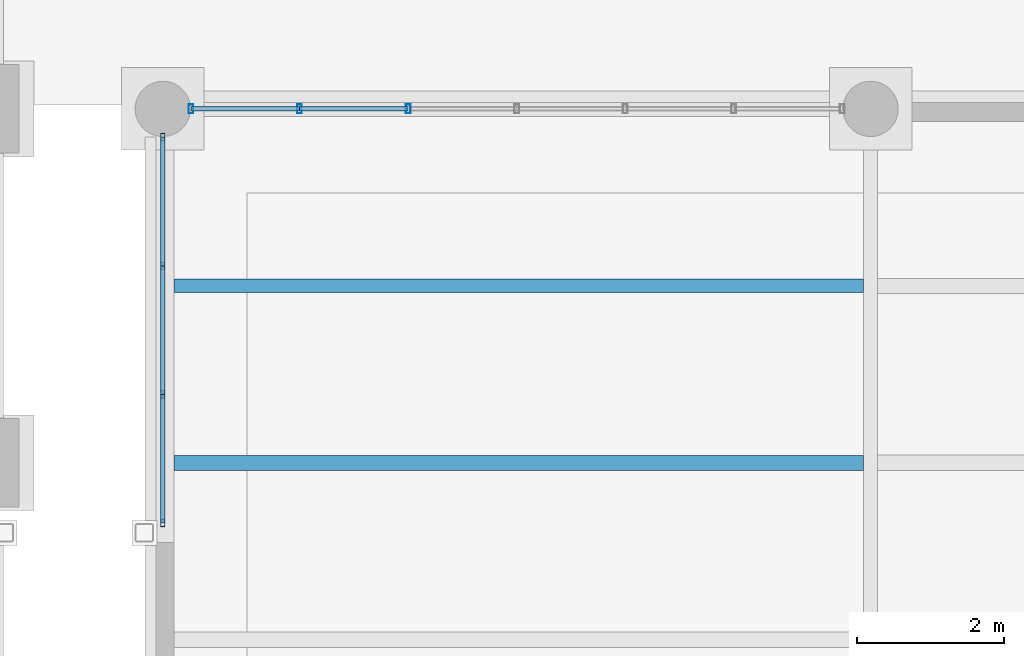
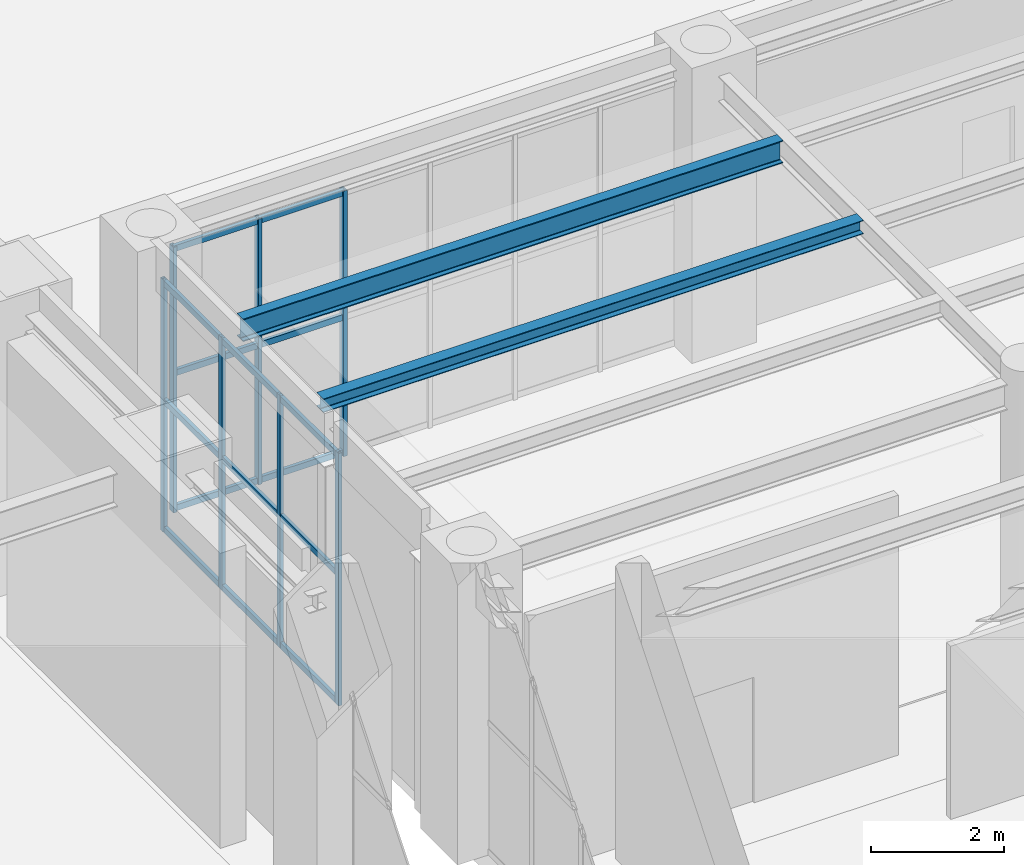
# One storey, part 63 of 164: 22 members, 2 beams, 2 elements without a shape of their own.
"""IFC4 building model written with IfcOpenShell, lengths in metres."""

from ifc_helpers import new_model, si_unit, direction, frame, origin, origin_2d, place, context, subcontext, project, spatial, hollow_rectangle, i_section, extrude, material, material_profile, profile_set, type_object, element, aggregate, save


model = new_model("IFC4")

# Units and contexts
model_context = context("Model", 3, precision=1e-05, world=origin(), true_north=direction((0.0, 1.0)))
body_context = subcontext(model_context, "Body", "Model", "MODEL_VIEW")
ifc_project = project(units=[si_unit("LENGTHUNIT", "METRE"), si_unit("AREAUNIT", "SQUARE_METRE"), si_unit("VOLUMEUNIT", "CUBIC_METRE"), si_unit("PLANEANGLEUNIT", "RADIAN"), si_unit("MASSUNIT", "GRAM", prefix="KILO")], contexts=[model_context])

# Site, building, storey
site_placement = place(None, origin())
site = spatial("IfcSite", under=ifc_project, at=site_placement, CompositionType="ELEMENT")
building_placement = place(site_placement, origin())
building = spatial("IfcBuilding", under=site, at=building_placement, Name="Mavantir Sound Aquarium", CompositionType="ELEMENT")
storey_placement = place(building_placement, origin())
storey = spatial("IfcBuildingStorey", under=building, at=storey_placement, Name="L00", CompositionType="ELEMENT", Elevation=0.0)

# Beams
ifc_material_1 = material(Name="Structural Steel ASTM A992 Gr50", Category="steel")
ifc_material_profile_1 = material_profile(ifc_material_1, i_section(OverallWidth=0.202880859375, OverallDepth=0.251953125, WebThickness=0.008056640625, FlangeThickness=0.013427734375, FilletRadius=0.011962890625, at=origin_2d()), Name="W250X58")
ifc_profile_set_1 = profile_set([ifc_material_profile_1], Name="Structural Steel ASTM A992 Gr50")
beam_type_1 = type_object("IfcBeamType", Name="BM-W250X58-I", PredefinedType="JOIST", material=ifc_profile_set_1)
beam_1_placement = place(storey_placement, frame((36.152587890625, 64.800048828125, 4.969970703125), z_axis=(1.0, 0.0, 0.0), x_axis=(0.0, 1.0, 0.0)))
element("IfcBeam", 1, at=beam_1_placement, inside=storey, type_object=beam_type_1, Name="L00 secondary floor joist SJ-25 472", PredefinedType="JOIST", context=body_context, shape_type="SweptSolid", body=[
    extrude(i_section(OverallWidth=0.202880859375, OverallDepth=0.251953125, WebThickness=0.008056640625, FlangeThickness=0.013427734375, FilletRadius=0.011962890625, at=origin_2d()), origin(), (0.0, 0.0, 1.0), 9.350341796875),
])
ifc_material_profile_2 = material_profile(ifc_material_1, i_section(OverallWidth=0.180908203125, OverallDepth=0.4169921875, WebThickness=0.010986328125, FlangeThickness=0.018310546875, FilletRadius=0.014892578125, at=origin_2d()), Name="W410X85")
ifc_profile_set_2 = profile_set([ifc_material_profile_2], Name="Structural Steel ASTM A992 Gr50")
beam_type_2 = type_object("IfcBeamType", Name="BM-W410X85-I", PredefinedType="JOIST", material=ifc_profile_set_2)
beam_2_placement = place(storey_placement, frame((36.152587890625, 67.199951171875, 4.887451171875), z_axis=(1.0, 0.0, 0.0), x_axis=(0.0, 1.0, 0.0)))
element("IfcBeam", 2, at=beam_2_placement, inside=storey, type_object=beam_type_2, Name="L00 secondary floor joist SJ-41 473", PredefinedType="JOIST", context=body_context, shape_type="SweptSolid", body=[
    extrude(i_section(OverallWidth=0.180908203125, OverallDepth=0.4169921875, WebThickness=0.010986328125, FlangeThickness=0.018310546875, FilletRadius=0.014892578125, at=origin_2d()), origin(), (0.0, 0.0, 1.0), 9.350341796875),
])

# Curtain wall, members
ifc_material_2 = material(Name="Anodised Marine Aluminium and Low-E Glass", Category="aluminium")
curtain_wall_type_1 = type_object("IfcCurtainWallType", Name="CW-T03", PredefinedType="USERDEFINED", material=ifc_material_2)
curtain_wall_1_placement = place(storey_placement, origin())
curtain_wall_1 = element("IfcCurtainWall", 3, at=curtain_wall_1_placement, inside=storey, type_object=curtain_wall_type_1, Name="L00 unitised curtain wall CW-03 3", ObjectType="UNITISED GLAZING", PredefinedType="USERDEFINED")
ifc_material_3 = material(Name="Anodised Marine Aluminium 6063-T6", Category="aluminium")
ifc_material_profile_3 = material_profile(ifc_material_3, hollow_rectangle(XDim=0.06005859375, YDim=0.10009765625, WallThickness=0.00390625, at=origin_2d()), Name="ALU-MULLION-100X60")
ifc_profile_set_3 = profile_set([ifc_material_profile_3], Name="Anodised Marine Aluminium 6063-T6")
member_type_1 = type_object("IfcMemberType", Name="CW-MUL-100", PredefinedType="MULLION", material=ifc_profile_set_3)
member_1_placement = place(storey_placement, frame((36.0, 69.217041015625, 0.0), z_axis=(0.0, 0.0, 1.0), x_axis=(1.0, 0.0, 0.0)))
member_1 = element("IfcMember", 4, at=member_1_placement, type_object=member_type_1, Name="CW-L00-003 vertical mullion 1", PredefinedType="MULLION", context=body_context, shape_type="SweptSolid", body=[
    extrude(hollow_rectangle(XDim=0.06005859375, YDim=0.10009765625, WallThickness=0.00390625, at=origin_2d()), origin(), (0.0, 0.0, 1.0), 4.62109375),
])
member_2_placement = place(storey_placement, frame((36.0, 67.472412109375, 0.0), z_axis=(0.0, 0.0, 1.0), x_axis=(1.0, 0.0, 0.0)))
member_2 = element("IfcMember", 5, at=member_2_placement, type_object=member_type_1, Name="CW-L00-003 vertical mullion 2", PredefinedType="MULLION", context=body_context, shape_type="SweptSolid", body=[
    extrude(hollow_rectangle(XDim=0.06005859375, YDim=0.10009765625, WallThickness=0.00390625, at=origin_2d()), origin(), (0.0, 0.0, 1.0), 4.62109375),
])
member_3_placement = place(storey_placement, frame((36.0, 65.727783203125, 0.0), z_axis=(0.0, 0.0, 1.0), x_axis=(1.0, 0.0, 0.0)))
member_3 = element("IfcMember", 6, at=member_3_placement, type_object=member_type_1, Name="CW-L00-003 vertical mullion 3", PredefinedType="MULLION", context=body_context, shape_type="SweptSolid", body=[
    extrude(hollow_rectangle(XDim=0.06005859375, YDim=0.10009765625, WallThickness=0.00390625, at=origin_2d()), origin(), (0.0, 0.0, 1.0), 4.62109375),
])
member_4_placement = place(storey_placement, frame((36.0, 63.98291015625, 0.0), z_axis=(0.0, 0.0, 1.0), x_axis=(1.0, 0.0, 0.0)))
member_4 = element("IfcMember", 7, at=member_4_placement, type_object=member_type_1, Name="CW-L00-003 vertical mullion 4", PredefinedType="MULLION", context=body_context, shape_type="SweptSolid", body=[
    extrude(hollow_rectangle(XDim=0.06005859375, YDim=0.10009765625, WallThickness=0.00390625, at=origin_2d()), origin(), (0.0, 0.0, 1.0), 4.62109375),
])

curtain_wall_type_2 = type_object("IfcCurtainWallType", Name="CW-T02", PredefinedType="USERDEFINED", material=ifc_material_2)
curtain_wall_2_placement = place(storey_placement, origin())
curtain_wall_2 = element("IfcCurtainWall", 8, at=curtain_wall_2_placement, inside=storey, type_object=curtain_wall_type_2, Name="L00 unitised curtain wall CW-02 2", ObjectType="UNITISED GLAZING", PredefinedType="USERDEFINED")
ifc_material_profile_4 = material_profile(ifc_material_3, hollow_rectangle(XDim=0.06494140625, YDim=0.1201171875, WallThickness=0.00390625, at=origin_2d()), Name="ALU-MULLION-120X65")
ifc_profile_set_4 = profile_set([ifc_material_profile_4], Name="Anodised Marine Aluminium 6063-T6")
member_type_2 = type_object("IfcMemberType", Name="CW-MUL-120", PredefinedType="MULLION", material=ifc_profile_set_4)
member_5_placement = place(storey_placement, frame((39.32763671875, 69.60009765625, 0.0), z_axis=(0.0, 0.0, 1.0), x_axis=(1.0, 0.0, 0.0)))
member_5 = element("IfcMember", 9, at=member_5_placement, type_object=member_type_2, Name="CW-L00-002 vertical mullion 5", PredefinedType="MULLION", context=body_context, shape_type="SweptSolid", body=[
    extrude(hollow_rectangle(XDim=0.06494140625, YDim=0.1201171875, WallThickness=0.00390625, at=origin_2d()), origin(), (0.0, 0.0, 1.0), 4.863037109375),
])
member_6_placement = place(storey_placement, frame((37.855224609375, 69.60009765625, 0.0), z_axis=(0.0, 0.0, 1.0), x_axis=(1.0, 0.0, 0.0)))
member_6 = element("IfcMember", 10, at=member_6_placement, type_object=member_type_2, Name="CW-L00-002 vertical mullion 6", PredefinedType="MULLION", context=body_context, shape_type="SweptSolid", body=[
    extrude(hollow_rectangle(XDim=0.06494140625, YDim=0.1201171875, WallThickness=0.00390625, at=origin_2d()), origin(), (0.0, 0.0, 1.0), 4.863037109375),
])
member_7_placement = place(storey_placement, frame((36.383056640625, 69.60009765625, 0.0), z_axis=(0.0, 0.0, 1.0), x_axis=(1.0, 0.0, 0.0)))
member_7 = element("IfcMember", 11, at=member_7_placement, type_object=member_type_2, Name="CW-L00-002 vertical mullion 7", PredefinedType="MULLION", context=body_context, shape_type="SweptSolid", body=[
    extrude(hollow_rectangle(XDim=0.06494140625, YDim=0.1201171875, WallThickness=0.00390625, at=origin_2d()), origin(), (0.0, 0.0, 1.0), 4.863037109375),
])
ifc_material_profile_5 = material_profile(ifc_material_3, hollow_rectangle(XDim=0.06005859375, YDim=0.110107421875, WallThickness=0.00390625, at=origin_2d()), Name="ALU-TRANSOM-110X60")
ifc_profile_set_5 = profile_set([ifc_material_profile_5], Name="Anodised Marine Aluminium 6063-T6")
member_type_3 = type_object("IfcMemberType", Name="CW-TRN-110", PredefinedType="USERDEFINED", material=ifc_profile_set_5)
member_8_placement = place(storey_placement, frame((39.32763671875, 69.60009765625, 0.054931640625), z_axis=(-1.0, 0.0, 0.0), x_axis=(0.0, -1.0, 0.0)))
member_8 = element("IfcMember", 12, at=member_8_placement, type_object=member_type_3, Name="CW-L00-002 transom 5.1", ObjectType="TRANSOM", PredefinedType="USERDEFINED", context=body_context, shape_type="SweptSolid", body=[
    extrude(hollow_rectangle(XDim=0.06005859375, YDim=0.110107421875, WallThickness=0.00390625, at=origin_2d()), origin(), (0.0, 0.0, 1.0), 1.472412109375),
])
member_9_placement = place(storey_placement, frame((39.32763671875, 69.60009765625, 2.52880859375), z_axis=(-1.0, 0.0, 0.0), x_axis=(0.0, -1.0, 0.0)))
member_9 = element("IfcMember", 13, at=member_9_placement, type_object=member_type_3, Name="CW-L00-002 transom 5.2", ObjectType="TRANSOM", PredefinedType="USERDEFINED", context=body_context, shape_type="SweptSolid", body=[
    extrude(hollow_rectangle(XDim=0.06005859375, YDim=0.110107421875, WallThickness=0.00390625, at=origin_2d()), origin(), (0.0, 0.0, 1.0), 1.472412109375),
])
member_10_placement = place(storey_placement, frame((39.32763671875, 69.60009765625, 4.80810546875), z_axis=(-1.0, 0.0, 0.0), x_axis=(0.0, -1.0, 0.0)))
member_10 = element("IfcMember", 14, at=member_10_placement, type_object=member_type_3, Name="CW-L00-002 transom 5.3", ObjectType="TRANSOM", PredefinedType="USERDEFINED", context=body_context, shape_type="SweptSolid", body=[
    extrude(hollow_rectangle(XDim=0.06005859375, YDim=0.110107421875, WallThickness=0.00390625, at=origin_2d()), origin(), (0.0, 0.0, 1.0), 1.472412109375),
])
member_11_placement = place(storey_placement, frame((37.855224609375, 69.60009765625, 0.054931640625), z_axis=(-1.0, 0.0, 0.0), x_axis=(0.0, -1.0, 0.0)))
member_11 = element("IfcMember", 15, at=member_11_placement, type_object=member_type_3, Name="CW-L00-002 transom 6.1", ObjectType="TRANSOM", PredefinedType="USERDEFINED", context=body_context, shape_type="SweptSolid", body=[
    extrude(hollow_rectangle(XDim=0.06005859375, YDim=0.110107421875, WallThickness=0.00390625, at=origin_2d()), origin(), (0.0, 0.0, 1.0), 1.47216796875),
])
member_12_placement = place(storey_placement, frame((37.855224609375, 69.60009765625, 2.52880859375), z_axis=(-1.0, 0.0, 0.0), x_axis=(0.0, -1.0, 0.0)))
member_12 = element("IfcMember", 16, at=member_12_placement, type_object=member_type_3, Name="CW-L00-002 transom 6.2", ObjectType="TRANSOM", PredefinedType="USERDEFINED", context=body_context, shape_type="SweptSolid", body=[
    extrude(hollow_rectangle(XDim=0.06005859375, YDim=0.110107421875, WallThickness=0.00390625, at=origin_2d()), origin(), (0.0, 0.0, 1.0), 1.47216796875),
])
member_13_placement = place(storey_placement, frame((37.855224609375, 69.60009765625, 4.80810546875), z_axis=(-1.0, 0.0, 0.0), x_axis=(0.0, -1.0, 0.0)))
member_13 = element("IfcMember", 17, at=member_13_placement, type_object=member_type_3, Name="CW-L00-002 transom 6.3", ObjectType="TRANSOM", PredefinedType="USERDEFINED", context=body_context, shape_type="SweptSolid", body=[
    extrude(hollow_rectangle(XDim=0.06005859375, YDim=0.110107421875, WallThickness=0.00390625, at=origin_2d()), origin(), (0.0, 0.0, 1.0), 1.47216796875),
])
aggregate(curtain_wall_2, [member_5, member_6, member_7, member_8, member_9, member_10, member_11, member_12, member_13])

# Member
member_14_placement = place(storey_placement, frame((36.0, 69.217041015625, 0.054931640625), z_axis=(0.0, -1.0, 0.0), x_axis=(1.0, 0.0, 0.0)))
member_14 = element("IfcMember", 18, at=member_14_placement, type_object=member_type_3, Name="CW-L00-003 transom 1.1", ObjectType="TRANSOM", PredefinedType="USERDEFINED", context=body_context, shape_type="SweptSolid", body=[
    extrude(hollow_rectangle(XDim=0.06005859375, YDim=0.110107421875, WallThickness=0.00390625, at=origin_2d()), origin(), (0.0, 0.0, 1.0), 1.74462890625),
])

member_15_placement = place(storey_placement, frame((36.0, 69.217041015625, 2.40283203125), z_axis=(0.0, -1.0, 0.0), x_axis=(1.0, 0.0, 0.0)))
member_15 = element("IfcMember", 19, at=member_15_placement, type_object=member_type_3, Name="CW-L00-003 transom 1.2", ObjectType="TRANSOM", PredefinedType="USERDEFINED", context=body_context, shape_type="SweptSolid", body=[
    extrude(hollow_rectangle(XDim=0.06005859375, YDim=0.110107421875, WallThickness=0.00390625, at=origin_2d()), origin(), (0.0, 0.0, 1.0), 1.74462890625),
])

member_16_placement = place(storey_placement, frame((36.0, 69.217041015625, 4.56591796875), z_axis=(0.0, -1.0, 0.0), x_axis=(1.0, 0.0, 0.0)))
member_16 = element("IfcMember", 20, at=member_16_placement, type_object=member_type_3, Name="CW-L00-003 transom 1.3", ObjectType="TRANSOM", PredefinedType="USERDEFINED", context=body_context, shape_type="SweptSolid", body=[
    extrude(hollow_rectangle(XDim=0.06005859375, YDim=0.110107421875, WallThickness=0.00390625, at=origin_2d()), origin(), (0.0, 0.0, 1.0), 1.74462890625),
])

member_17_placement = place(storey_placement, frame((36.0, 67.472412109375, 0.054931640625), z_axis=(0.0, -1.0, 0.0), x_axis=(1.0, 0.0, 0.0)))
member_17 = element("IfcMember", 21, at=member_17_placement, type_object=member_type_3, Name="CW-L00-003 transom 2.1", ObjectType="TRANSOM", PredefinedType="USERDEFINED", context=body_context, shape_type="SweptSolid", body=[
    extrude(hollow_rectangle(XDim=0.06005859375, YDim=0.110107421875, WallThickness=0.00390625, at=origin_2d()), origin(), (0.0, 0.0, 1.0), 1.74462890625),
])

member_18_placement = place(storey_placement, frame((36.0, 67.472412109375, 2.40283203125), z_axis=(0.0, -1.0, 0.0), x_axis=(1.0, 0.0, 0.0)))
member_18 = element("IfcMember", 22, at=member_18_placement, type_object=member_type_3, Name="CW-L00-003 transom 2.2", ObjectType="TRANSOM", PredefinedType="USERDEFINED", context=body_context, shape_type="SweptSolid", body=[
    extrude(hollow_rectangle(XDim=0.06005859375, YDim=0.110107421875, WallThickness=0.00390625, at=origin_2d()), origin(), (0.0, 0.0, 1.0), 1.74462890625),
])

member_19_placement = place(storey_placement, frame((36.0, 67.472412109375, 4.56591796875), z_axis=(0.0, -1.0, 0.0), x_axis=(1.0, 0.0, 0.0)))
member_19 = element("IfcMember", 23, at=member_19_placement, type_object=member_type_3, Name="CW-L00-003 transom 2.3", ObjectType="TRANSOM", PredefinedType="USERDEFINED", context=body_context, shape_type="SweptSolid", body=[
    extrude(hollow_rectangle(XDim=0.06005859375, YDim=0.110107421875, WallThickness=0.00390625, at=origin_2d()), origin(), (0.0, 0.0, 1.0), 1.74462890625),
])

member_20_placement = place(storey_placement, frame((36.0, 65.727783203125, 0.054931640625), z_axis=(0.0, -1.0, 0.0), x_axis=(1.0, 0.0, 0.0)))
member_20 = element("IfcMember", 24, at=member_20_placement, type_object=member_type_3, Name="CW-L00-003 transom 3.1", ObjectType="TRANSOM", PredefinedType="USERDEFINED", context=body_context, shape_type="SweptSolid", body=[
    extrude(hollow_rectangle(XDim=0.06005859375, YDim=0.110107421875, WallThickness=0.00390625, at=origin_2d()), origin(), (0.0, 0.0, 1.0), 1.744873046875),
])

member_21_placement = place(storey_placement, frame((36.0, 65.727783203125, 2.40283203125), z_axis=(0.0, -1.0, 0.0), x_axis=(1.0, 0.0, 0.0)))
member_21 = element("IfcMember", 25, at=member_21_placement, type_object=member_type_3, Name="CW-L00-003 transom 3.2", ObjectType="TRANSOM", PredefinedType="USERDEFINED", context=body_context, shape_type="SweptSolid", body=[
    extrude(hollow_rectangle(XDim=0.06005859375, YDim=0.110107421875, WallThickness=0.00390625, at=origin_2d()), origin(), (0.0, 0.0, 1.0), 1.744873046875),
])

member_22_placement = place(storey_placement, frame((36.0, 65.727783203125, 4.56591796875), z_axis=(0.0, -1.0, 0.0), x_axis=(1.0, 0.0, 0.0)))
member_22 = element("IfcMember", 26, at=member_22_placement, type_object=member_type_3, Name="CW-L00-003 transom 3.3", ObjectType="TRANSOM", PredefinedType="USERDEFINED", context=body_context, shape_type="SweptSolid", body=[
    extrude(hollow_rectangle(XDim=0.06005859375, YDim=0.110107421875, WallThickness=0.00390625, at=origin_2d()), origin(), (0.0, 0.0, 1.0), 1.744873046875),
])

aggregate(curtain_wall_1, [member_1, member_2, member_3, member_4, member_14, member_15, member_16, member_17, member_18, member_19, member_20, member_21, member_22])

save(model, "model.ifc")
